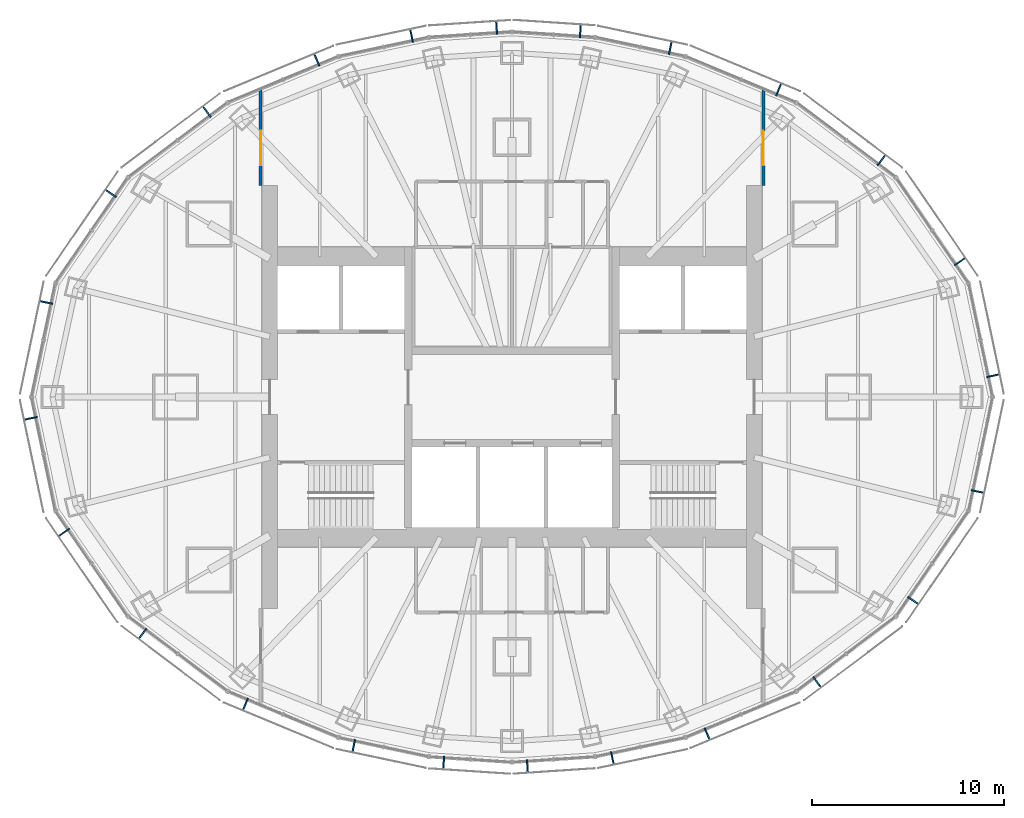
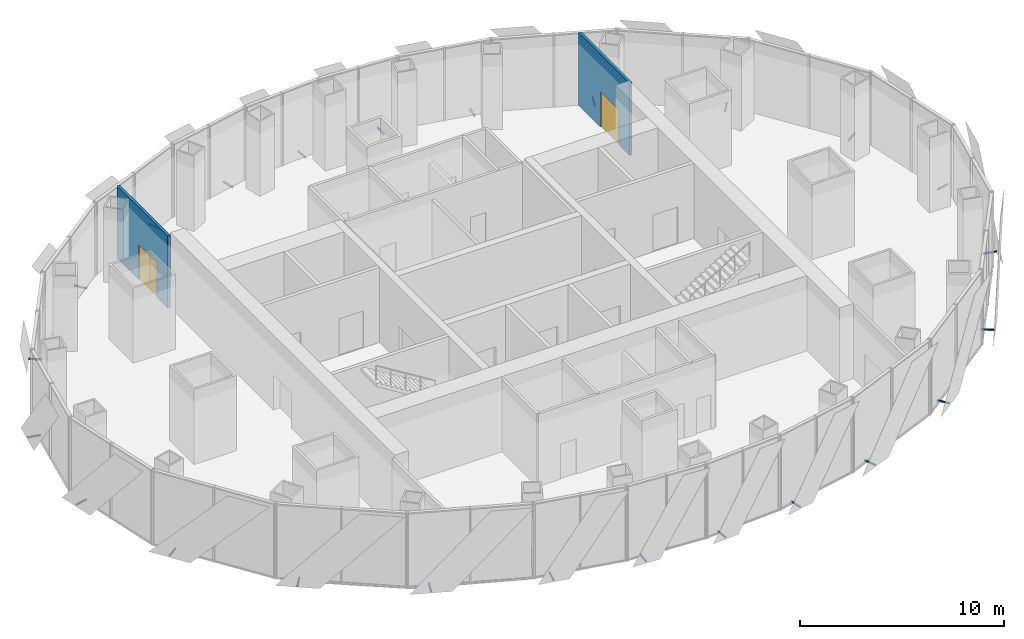
# One storey, part 12 of 15: 24 discrete accessories, 2 doors, 2 walls, 2 openings.
"""IFC4 building model written with IfcOpenShell, lengths in metres."""

import ifcopenshell
import ifcopenshell.guid

model = None  # the IFC model being written
_history = None  # IfcOwnerHistory: only IFC2X3 demands one
_inside = {}  # id of a spatial element -> (the spatial element, [elements in it])
_under = {}  # id of a project, library or spatial element -> (it, [spatial elements below it])
_declared = {}  # id of a project -> (the project, [libraries it declares])
_typed = {}  # id of a type object -> (the type object, [elements of that type])
_made_of = {}  # id of a material, layer set ... -> (it, [elements and type objects made of it])


def new_model(schema):
    """Start an empty IFC model of exactly this schema.

    Asked for "IFC4X3", IfcOpenShell would pick the latest addendum, in which some entities
    have other attributes; the version numbers below select the first issue.
    IFC2X3 requires an IfcOwnerHistory on every rooted entity: one is made here for all.
    """
    global model, _history
    if schema == "IFC4X3":
        model = ifcopenshell.file(schema_version=(4, 3, 0, 0))
    else:
        model = ifcopenshell.file(schema=schema)
    _inside.clear()
    _under.clear()
    _declared.clear()
    _typed.clear()
    _made_of.clear()
    _history = None
    if model.schema == "IFC2X3":
        org = make("IfcOrganization", Name="unknown")
        user = make(
            "IfcPersonAndOrganization",
            ThePerson=make("IfcPerson", FamilyName="unknown"),
            TheOrganization=org,
        )
        app = make(
            "IfcApplication",
            ApplicationDeveloper=org,
            Version="unknown",
            ApplicationFullName="unknown",
            ApplicationIdentifier="unknown",
        )
        _history = make(
            "IfcOwnerHistory",
            OwningUser=user,
            OwningApplication=app,
            ChangeAction="ADDED",
            CreationDate=0,
        )
    return model


def make(cls, **values):
    """One entity of the class cls with the attributes given. An attribute that is None is left unset."""
    return model.create_entity(
        cls, **{name: value for name, value in values.items() if value is not None}
    )


def rooted(cls, **values):
    """An entity with a GlobalId (a new one), such as an element, a storey or a relation."""
    return make(cls, GlobalId=ifcopenshell.guid.new(), OwnerHistory=_history, **values)


def si_unit(unit_type, name, prefix=None):
    """IfcSIUnit, for example si_unit("LENGTHUNIT", "METRE", prefix="MILLI")."""
    return make("IfcSIUnit", UnitType=unit_type, Prefix=prefix, Name=name)


def assignment(units):
    """IfcUnitAssignment: the units of a project."""
    return None if units is None else make("IfcUnitAssignment", Units=units)


def point(xyz):
    """IfcCartesianPoint."""
    return None if xyz is None else make("IfcCartesianPoint", Coordinates=xyz)


def direction(xyz):
    """IfcDirection."""
    return None if xyz is None else make("IfcDirection", DirectionRatios=xyz)


def frame(location, z_axis=None, x_axis=None):
    """IfcAxis2Placement3D, a coordinate frame: its origin and axes. An axis left out is left unset."""
    return make(
        "IfcAxis2Placement3D",
        Location=point(location),
        Axis=direction(z_axis),
        RefDirection=direction(x_axis),
    )


def frame_2d(location, x_axis=None):
    """IfcAxis2Placement2D, a coordinate frame in the plane: its origin and x axis."""
    return make(
        "IfcAxis2Placement2D", Location=point(location), RefDirection=direction(x_axis)
    )


def origin():
    """The frame at (0, 0, 0) with its axes left unset."""
    return frame((0.0, 0.0, 0.0))


def origin_2d():
    """The frame at (0, 0) in the plane with its x axis left unset."""
    return frame_2d((0.0, 0.0))


def place(relative_to, where):
    """IfcLocalPlacement: puts the frame where relative to a parent placement (None: the world)."""
    return make(
        "IfcLocalPlacement", PlacementRelTo=relative_to, RelativePlacement=where
    )


def context(
    kind, dimensions, precision=None, world=None, true_north=None, identifier=None
):
    """IfcGeometricRepresentationContext, for example the 3D "Model" context."""
    return make(
        "IfcGeometricRepresentationContext",
        ContextIdentifier=identifier,
        ContextType=kind,
        CoordinateSpaceDimension=dimensions,
        Precision=precision,
        WorldCoordinateSystem=world,
        TrueNorth=true_north,
    )


def subcontext(parent, identifier, kind, view, scale=None):
    """IfcGeometricRepresentationSubContext, for example "Body" below "Model"."""
    return make(
        "IfcGeometricRepresentationSubContext",
        ContextIdentifier=identifier,
        ContextType=kind,
        ParentContext=parent,
        TargetScale=scale,
        TargetView=view,
    )


def project(units=None, contexts=None):
    """IfcProject with its units and contexts."""
    return rooted(
        "IfcProject",
        Name="project",
        RepresentationContexts=contexts,
        UnitsInContext=assignment(units),
    )


def spatial(cls, under=None, at=None, **own):
    """A site, building, storey or space (cls), placed at a placement, below another one or the project."""
    s = rooted(cls, ObjectPlacement=at, **own)
    if under is not None:
        _under.setdefault(under.id(), (under, []))[1].append(s)
    return s


def profile(cls, at=None, kind="AREA", **sizes):
    """A parametric profile (cls). Its sizes go by their IFC names, for example OverallWidth=200.0."""
    return make(cls, ProfileType=kind, Position=at, **sizes)


def rectangle(**sizes):
    """IfcRectangleProfileDef."""
    return profile("IfcRectangleProfileDef", **sizes)


def extrude(swept, where, along, depth):
    """IfcExtrudedAreaSolid: the profile swept, set in the frame where, extruded along a direction by depth."""
    return make(
        "IfcExtrudedAreaSolid",
        SweptArea=swept,
        Position=where,
        ExtrudedDirection=direction(along),
        Depth=depth,
    )


def shape(context_of_items, identifier, shape_type, items):
    """IfcShapeRepresentation: the items that make up one representation, for example the "Body"."""
    return make(
        "IfcShapeRepresentation",
        ContextOfItems=context_of_items,
        RepresentationIdentifier=identifier,
        RepresentationType=shape_type,
        Items=items,
    )


def material(Name=None, Category=None):
    """IfcMaterial."""
    return make("IfcMaterial", Name=Name, Category=Category)


def layer(
    of_material, thickness, ventilated=None, Name=None, Category=None, Priority=None
):
    """IfcMaterialLayer: one layer of a wall or slab, of a material (None: an air gap)."""
    return make(
        "IfcMaterialLayer",
        Material=of_material,
        LayerThickness=thickness,
        IsVentilated=ventilated,
        Name=Name,
        Category=Category,
        Priority=Priority,
    )


def layer_set(layers, Name=None):
    """IfcMaterialLayerSet."""
    return make("IfcMaterialLayerSet", MaterialLayers=layers, LayerSetName=Name)


def made_of(thing, what):
    """Note that an element or type object is made of a material, layer set ...; save() writes the relation."""
    if what is not None:
        _made_of.setdefault(what.id(), (what, []))[1].append(thing)
    return thing


def type_object(cls, material=None, **own):
    """A type object (cls), such as IfcWallType, which elements share."""
    return made_of(rooted(cls, **own), material)


def element(
    cls,
    number,
    at=None,
    inside=None,
    cuts=None,
    type_object=None,
    material=None,
    context=None,
    identifier="Body",
    shape_type=None,
    held_by="IfcProductDefinitionShape",
    body=None,
    shapes=None,
    **own,
):
    """One element of the class cls, such as IfcWall. Its Tag is "e" and its number.

    at: its placement. inside: the storey or other place that contains it. cuts: it is an
    opening in that element (IfcRelVoidsElement). A single representation is given by context,
    identifier, shape_type and body (its items); several are given by shapes. held_by: the class
    of the entity that holds the representations. save() writes the other relations.
    """
    e = rooted(cls, Tag="e%d" % number, ObjectPlacement=at, **own)
    if body is not None:
        shapes = [shape(context, identifier, shape_type, body)]
    if shapes is not None:
        e.Representation = make(held_by, Representations=shapes)
    if inside is not None:
        _inside.setdefault(inside.id(), (inside, []))[1].append(e)
    if cuts is not None:
        rooted(
            "IfcRelVoidsElement", RelatingBuildingElement=cuts, RelatedOpeningElement=e
        )
    if type_object is not None:
        _typed.setdefault(type_object.id(), (type_object, []))[1].append(e)
    return made_of(e, material)


def fill(opening, filler):
    """IfcRelFillsElement: the door or window that sits in an opening."""
    return rooted(
        "IfcRelFillsElement",
        RelatingOpeningElement=opening,
        RelatedBuildingElement=filler,
    )


def aggregate(whole, parts):
    """IfcRelAggregates: a whole, such as a stair, and the parts it consists of."""
    return rooted("IfcRelAggregates", RelatingObject=whole, RelatedObjects=parts)


def save(model, path):
    """Write the relations noted so far, then the file.

    IfcRelAggregates (storeys below a building ...), IfcRelContainedInSpatialStructure (elements
    in a storey), IfcRelDefinesByType, IfcRelAssociatesMaterial and IfcRelDeclares: one each for
    every whole, place, type object, material and project.
    """
    for whole, parts in _under.values():
        aggregate(whole, parts)
    for where, things in _inside.values():
        rooted(
            "IfcRelContainedInSpatialStructure",
            RelatedElements=things,
            RelatingStructure=where,
        )
    for kind, things in _typed.values():
        rooted("IfcRelDefinesByType", RelatedObjects=things, RelatingType=kind)
    for what, things in _made_of.values():
        rooted("IfcRelAssociatesMaterial", RelatedObjects=things, RelatingMaterial=what)
    for by, libraries in _declared.values():
        rooted("IfcRelDeclares", RelatingContext=by, RelatedDefinitions=libraries)
    model.write(path)


model = new_model("IFC4")

# Units and contexts
model_context = context("Model", 3, precision=1e-05, world=origin(), true_north=direction((0.0, 1.0)))
body_context = subcontext(model_context, "Body", "Model", "MODEL_VIEW")
ifc_project = project(units=[si_unit("LENGTHUNIT", "METRE"), si_unit("AREAUNIT", "SQUARE_METRE"), si_unit("VOLUMEUNIT", "CUBIC_METRE"), si_unit("PLANEANGLEUNIT", "RADIAN"), si_unit("MASSUNIT", "GRAM", prefix="KILO")], contexts=[model_context])

# Site, building, storey
site_placement = place(None, origin())
site = spatial("IfcSite", under=ifc_project, at=site_placement, CompositionType="ELEMENT")
building_placement = place(site_placement, origin())
building = spatial("IfcBuilding", under=site, at=building_placement, Name="Lantaw Convention Tower", CompositionType="ELEMENT")
storey_placement = place(building_placement, frame((0.0, 0.0, 274.89990234375)))
storey = spatial("IfcBuildingStorey", under=building, at=storey_placement, Name="L64", CompositionType="ELEMENT", Elevation=274.89990234375)

# Wall, opening, door
ifc_material_1 = material(Name="Gypsum board on steel studs, acoustic", Category="steel")
ifc_layer = layer(ifc_material_1, 0.14990234375)
ifc_layer_set = layer_set([ifc_layer], Name="Club partition 150")
wall_type = type_object("IfcWallType", Name="Club partition 150", PredefinedType="PARTITIONING", material=ifc_layer_set)
wall_1_placement = place(storey_placement, frame((-13.074951171875, 11.0, 0.0), z_axis=(0.0, 0.0, 1.0), x_axis=(0.0, 1.0, 0.0)))
wall_1 = element("IfcWall", 1, at=wall_1_placement, inside=storey, type_object=wall_type, Name="Club partition 150", PredefinedType="PARTITIONING", context=body_context, shape_type="SweptSolid", body=[
    extrude(rectangle(XDim=4.974365234375, YDim=0.14990234375, at=frame_2d((2.4873046875, 0.0))), origin(), (0.0, 0.0, 1.0), 4.35009765625),
])
opening_1_placement = place(wall_1_placement, frame((1.042724609375, 0.0, 0.0)))
opening_1 = element("IfcOpeningElement", 2, at=opening_1_placement, cuts=wall_1, Name="Opening L64.25", PredefinedType="OPENING", context=body_context, shape_type="SweptSolid", body=[
    extrude(rectangle(XDim=1.800048828125, YDim=2.10009765625, at=frame_2d((0.89990234375, 1.050048828125))), frame((0.0, 0.0849609375, 0.0), z_axis=(0.0, -1.0, 0.0), x_axis=(1.0, 0.0, 0.0)), (0.0, 0.0, 1.0), 0.169921875),
])
ifc_material_2 = material(Name="Timber", Category="wood")
door_type = type_object("IfcDoorType", Name="Club double door 1800", OperationType="DOUBLE_DOOR_DOUBLE_SWING", PredefinedType="DOOR", material=ifc_material_2)
door_1_placement = place(opening_1_placement, origin())
door_1 = element("IfcDoor", 3, at=door_1_placement, inside=storey, type_object=door_type, Name="Door", OperationType="DOUBLE_DOOR_DOUBLE_SWING", OverallHeight=2.10009765625, OverallWidth=1.800048828125, PredefinedType="DOOR", context=body_context, shape_type="SweptSolid", body=[
    extrude(rectangle(XDim=1.800048828125, YDim=2.10009765625, at=frame_2d((0.89990234375, 1.050048828125))), frame((0.0, 0.02490234375, 0.0), z_axis=(0.0, -1.0, 0.0), x_axis=(1.0, 0.0, 0.0)), (0.0, 0.0, 1.0), 0.050048828125),
])
fill(opening_1, door_1)

wall_2_placement = place(storey_placement, frame((13.074951171875, 11.0, 0.0), z_axis=(0.0, 0.0, 1.0), x_axis=(0.0, 1.0, 0.0)))
wall_2 = element("IfcWall", 4, at=wall_2_placement, inside=storey, type_object=wall_type, Name="Club partition 150", PredefinedType="PARTITIONING", context=body_context, shape_type="SweptSolid", body=[
    extrude(rectangle(XDim=4.974365234375, YDim=0.14990234375, at=frame_2d((2.4873046875, 0.0))), origin(), (0.0, 0.0, 1.0), 4.35009765625),
])
opening_2_placement = place(wall_2_placement, frame((1.042724609375, 0.0, 0.0)))
opening_2 = element("IfcOpeningElement", 5, at=opening_2_placement, cuts=wall_2, Name="Opening L64.27", PredefinedType="OPENING", context=body_context, shape_type="SweptSolid", body=[
    extrude(rectangle(XDim=1.800048828125, YDim=2.10009765625, at=frame_2d((0.89990234375, 1.050048828125))), frame((0.0, 0.0849609375, 0.0), z_axis=(0.0, -1.0, 0.0), x_axis=(1.0, 0.0, 0.0)), (0.0, 0.0, 1.0), 0.169921875),
])
door_2_placement = place(opening_2_placement, origin())
door_2 = element("IfcDoor", 6, at=door_2_placement, inside=storey, type_object=door_type, Name="Door", OperationType="DOUBLE_DOOR_DOUBLE_SWING", OverallHeight=2.10009765625, OverallWidth=1.800048828125, PredefinedType="DOOR", context=body_context, shape_type="SweptSolid", body=[
    extrude(rectangle(XDim=1.800048828125, YDim=2.10009765625, at=frame_2d((0.89990234375, 1.050048828125))), frame((0.0, 0.02490234375, 0.0), z_axis=(0.0, -1.0, 0.0), x_axis=(1.0, 0.0, 0.0)), (0.0, 0.0, 1.0), 0.050048828125),
])
fill(opening_2, door_2)

# Discrete accessories
for number, where, z_axis, x_axis, name in (
    (7, (25.031494140625, 1.109130859375, -0.114990234375), (0.0, 0.0, 1.0), (-0.205814054946, 0.978591117263, 0.0), "Screen bracket"),
    (8, (23.29833984375, 7.044677734375, -0.114990234375), (0.0, 0.0, 1.0), (-0.565934832921, 0.824449977189, 0.0), "Screen bracket"),
    (9, (19.21533203125, 12.318115234375, -0.114990234375), (0.0, 0.0, 1.0), (-0.799517528732, 0.600642756762, 0.0), "Screen bracket"),
    (10, (13.865234375, 15.98388671875, -0.114990234375), (0.0, 0.0, 1.0), (-0.923141777124, 0.384459697924, 0.0), "Screen bracket"),
    (11, (8.232177734375, 18.151123046875, -0.114990234375), (0.0, 0.0, 1.0), (-0.978332497083, 0.207039911975, 0.0), "Screen bracket"),
    (12, (3.55322265625, 19.0244140625, -0.114990234375), (0.0, 0.0, 1.0), (-0.997817975525, 0.066024902273, 0.0), "Screen bracket"),
    (13, (-0.801513671875, 19.20654296875, -0.114990234375), (0.0, 0.0, 1.0), (-0.997817975525, -0.066024902273, 0.0), "Screen bracket"),
    (14, (-5.22314453125, 18.787841796875, -0.114990234375), (0.0, 0.0, 1.0), (-0.978332497083, -0.207039911975, 0.0), "Screen bracket"),
    (15, (-10.1533203125, 17.52978515625, -0.114990234375), (0.0, 0.0, 1.0), (-0.923141777124, -0.384459697924, 0.0), "Screen bracket"),
    (16, (-15.86962890625, 14.83154296875, -0.114990234375), (0.0, 0.0, 1.0), (-0.799517528732, -0.600642756762, 0.0), "Screen bracket"),
    (17, (-20.864990234375, 10.58935546875, -0.114990234375), (0.0, 0.0, 1.0), (-0.565934832921, -0.824449977189, 0.0), "Screen bracket"),
    (18, (-24.22998046875, 4.920166015625, -0.114990234375), (0.0, 0.0, 1.0), (-0.205814054946, -0.978591117263, 0.0), "Screen bracket"),
    (19, (-25.031494140625, -1.109130859375, -0.114990234375), (0.0, 0.0, 1.0), (0.205814054946, -0.978591117263, 0.0), "Screen bracket"),
    (20, (-23.29833984375, -7.044677734375, -0.114990234375), (0.0, 0.0, 1.0), (0.565934832921, -0.824449977189, 0.0), "Screen bracket"),
    (21, (-19.21533203125, -12.318115234375, -0.114990234375), (0.0, 0.0, 1.0), (0.799517528732, -0.600642756762, 0.0), "Screen bracket"),
    (22, (-13.865234375, -15.98388671875, -0.114990234375), (0.0, 0.0, 1.0), (0.923141777124, -0.384459697924, 0.0), "Screen bracket"),
    (23, (-8.232177734375, -18.151123046875, -0.114990234375), (0.0, 0.0, 1.0), (0.978332497083, -0.207039911975, 0.0), "Screen bracket"),
    (24, (-3.55322265625, -19.0244140625, -0.114990234375), (0.0, 0.0, 1.0), (0.997817975525, -0.066024902273, 0.0), "Screen bracket"),
    (25, (0.801513671875, -19.20654296875, -0.114990234375), (0.0, 0.0, 1.0), (0.997817975525, 0.066024902273, 0.0), "Screen bracket"),
    (26, (5.22314453125, -18.787841796875, -0.114990234375), (0.0, 0.0, 1.0), (0.978332497083, 0.207039911975, 0.0), "Screen bracket"),
    (27, (10.1533203125, -17.52978515625, -0.114990234375), (0.0, 0.0, 1.0), (0.923141777124, 0.384459697924, 0.0), "Screen bracket"),
    (28, (15.86962890625, -14.83154296875, -0.114990234375), (0.0, 0.0, 1.0), (0.799517528732, 0.600642756762, 0.0), "Screen bracket"),
    (29, (20.864990234375, -10.58935546875, -0.114990234375), (0.0, 0.0, 1.0), (0.565934832921, 0.824449977189, 0.0), "Screen bracket"),
    (30, (24.22998046875, -4.920166015625, -0.114990234375), (0.0, 0.0, 1.0), (0.205814054946, 0.978591117263, 0.0), "Screen bracket"),
):
    element("IfcDiscreteAccessory", number, at=place(storey_placement, frame(where, z_axis=z_axis, x_axis=x_axis)), inside=storey, Name=name, PredefinedType="BRACKET", context=body_context, shape_type="SweptSolid", body=[
        extrude(rectangle(XDim=0.080078125, YDim=0.68798828125, at=origin_2d()), origin(), (0.0, 0.0, 1.0), 0.080078125),
    ])

save(model, "model.ifc")
